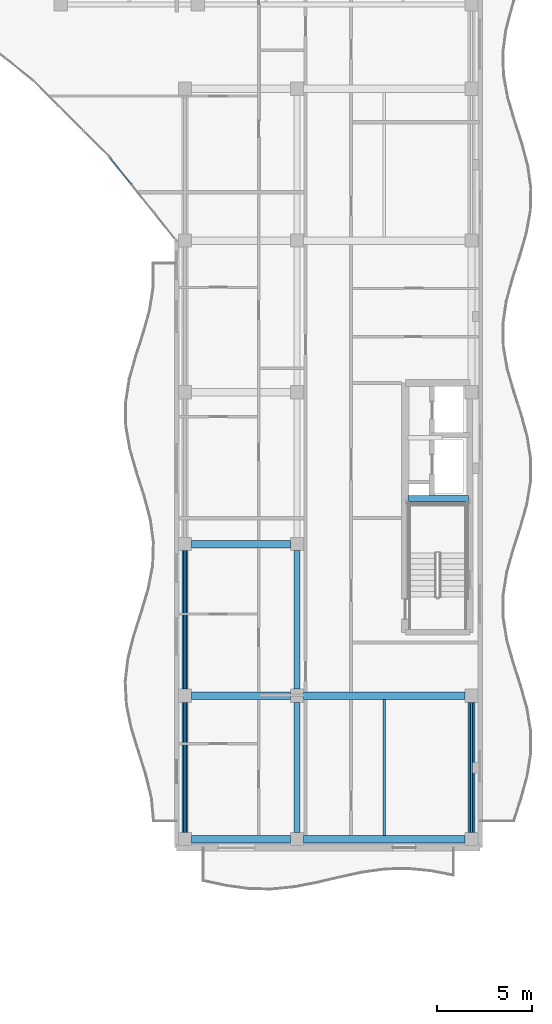
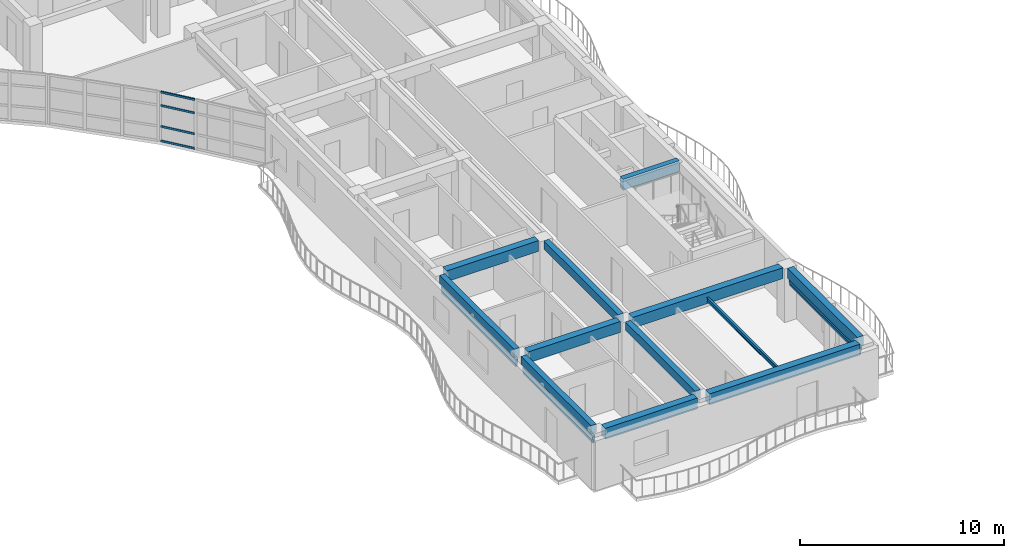
# One storey, part 31 of 89: 12 beams, 10 members, 1 element without a shape of its own.
"""IFC4 building model written with IfcOpenShell, lengths in metres."""

from ifc_helpers import new_model, si_unit, direction, frame, origin, origin_2d, place, context, subcontext, project, spatial, rectangle, hollow_rectangle, i_section, extrude, material, layer, layer_set, material_profile, profile_set, type_object, element, aggregate, save


model = new_model("IFC4")

# Units and contexts
model_context = context("Model", 3, precision=1e-05, world=origin(), true_north=direction((0.0, 1.0)))
body_context = subcontext(model_context, "Body", "Model", "MODEL_VIEW")
ifc_project = project(units=[si_unit("LENGTHUNIT", "METRE"), si_unit("AREAUNIT", "SQUARE_METRE"), si_unit("VOLUMEUNIT", "CUBIC_METRE"), si_unit("PLANEANGLEUNIT", "RADIAN"), si_unit("MASSUNIT", "GRAM", prefix="KILO")], contexts=[model_context])

# Site, building, storey
site_placement = place(None, origin())
site = spatial("IfcSite", under=ifc_project, at=site_placement, CompositionType="ELEMENT")
building_placement = place(site_placement, origin())
building = spatial("IfcBuilding", under=site, at=building_placement, Name="Keldmere Railside Commons", CompositionType="ELEMENT")
storey_placement = place(building_placement, frame((0.0, 0.0, 7.360107421875)))
storey = spatial("IfcBuildingStorey", under=building, at=storey_placement, Name="L02", CompositionType="ELEMENT", Elevation=7.360107421875)

# Members
ifc_material_1 = material(Name="Steel F-36 (S355)", Category="steel")
ifc_material_profile_1 = material_profile(ifc_material_1, hollow_rectangle(XDim=0.14990234375, YDim=0.25, WallThickness=0.010009765625, at=origin_2d()), Name="RHS-250x150x10")
ifc_profile_set_1 = profile_set([ifc_material_profile_1], Name="Steel F-36 (S355)")
member_type_1 = type_object("IfcMemberType", Name="Balcony Continuous Planted Trough RHS250x150", PredefinedType="CHORD", material=ifc_profile_set_1)
member_1_placement = place(storey_placement, frame((168.449951171875, 56.800048828125, 2.414794921875), z_axis=(0.0, 1.0, 0.0), x_axis=(-1.0, 0.0, 0.0)))
element("IfcMember", 1, at=member_1_placement, inside=storey, type_object=member_type_1, Name="PLT-1 MEM-BPLT-0309", PredefinedType="CHORD", context=body_context, shape_type="SweptSolid", body=[
    extrude(hollow_rectangle(XDim=0.14990234375, YDim=0.25, WallThickness=0.010009765625, at=origin_2d()), origin(), (0.0, 0.0, 1.0), 6.849853515625),
])
member_2_placement = place(storey_placement, frame((168.449951171875, 64.35009765625, 2.414794921875), z_axis=(0.0, 1.0, 0.0), x_axis=(-1.0, 0.0, 0.0)))
element("IfcMember", 2, at=member_2_placement, inside=storey, type_object=member_type_1, Name="PLT-1 MEM-BPLT-0311", PredefinedType="CHORD", context=body_context, shape_type="SweptSolid", body=[
    extrude(hollow_rectangle(XDim=0.14990234375, YDim=0.25, WallThickness=0.010009765625, at=origin_2d()), origin(), (0.0, 0.0, 1.0), 7.2998046875),
])
member_3_placement = place(storey_placement, frame((183.550048828125, 56.800048828125, 2.414794921875), z_axis=(0.0, 1.0, 0.0), x_axis=(-1.0, 0.0, 0.0)))
element("IfcMember", 3, at=member_3_placement, inside=storey, type_object=member_type_1, Name="PLT-1 MEM-BPLT-0319", PredefinedType="CHORD", context=body_context, shape_type="SweptSolid", body=[
    extrude(hollow_rectangle(XDim=0.14990234375, YDim=0.25, WallThickness=0.010009765625, at=origin_2d()), origin(), (0.0, 0.0, 1.0), 6.849853515625),
])

# Beams
ifc_material_2 = material(Name="Concrete H-35 (C35/45)", Category="concrete")
ifc_material_profile_2 = material_profile(ifc_material_2, rectangle(XDim=0.300048828125, YDim=0.64990234375, at=origin_2d()), Name="RC-300x650")
ifc_profile_set_2 = profile_set([ifc_material_profile_2], Name="Concrete H-35 (C35/45)")
beam_type_1 = type_object("IfcBeamType", Name="Core Coupling RC Beam 300x650", PredefinedType="BEAM", material=ifc_profile_set_2)
beam_1_placement = place(storey_placement, frame((180.18994140625, 74.39990234375, 2.875), z_axis=(1.0, 0.0, 0.0), x_axis=(0.0, 1.0, 0.0)))
element("IfcBeam", 4, at=beam_1_placement, inside=storey, type_object=beam_type_1, Name="CB-1 BM-L02-2567", PredefinedType="BEAM", context=body_context, shape_type="SweptSolid", body=[
    extrude(rectangle(XDim=0.300048828125, YDim=0.64990234375, at=origin_2d()), origin(), (0.0, 0.0, 1.0), 3.18994140625),
])
ifc_material_profile_3 = material_profile(ifc_material_1, i_section(OverallWidth=0.1201171875, OverallDepth=0.239990234375, WebThickness=0.006103515625, FlangeThickness=0.009765625, at=origin_2d()), Name="IPE-240")
ifc_profile_set_3 = profile_set([ifc_material_profile_3], Name="Steel F-36 (S355)")
beam_type_2 = type_object("IfcBeamType", Name="Nursery & Mezzanine Steel Joist IPE240", PredefinedType="JOIST", material=ifc_profile_set_3)
beam_2_placement = place(storey_placement, frame((178.949951171875, 56.64990234375, 2.809814453125), z_axis=(0.0, 1.0, 0.0), x_axis=(-1.0, 0.0, 0.0)))
element("IfcBeam", 5, at=beam_2_placement, inside=storey, type_object=beam_type_2, Name="JST-2 BM-L02-1283", PredefinedType="JOIST", context=body_context, shape_type="SweptSolid", body=[
    extrude(i_section(OverallWidth=0.1201171875, OverallDepth=0.239990234375, WebThickness=0.006103515625, FlangeThickness=0.009765625, at=origin_2d()), origin(), (0.0, 0.0, 1.0), 7.150146484375),
])
ifc_material_3 = material(Name="Concrete H-30 (C30/37)", Category="concrete")
ifc_material_profile_4 = material_profile(ifc_material_3, rectangle(XDim=0.35009765625, YDim=0.60009765625, at=origin_2d()), Name="RC-350x600")
ifc_profile_set_4 = profile_set([ifc_material_profile_4], Name="Concrete H-30 (C30/37)")
beam_type_3 = type_object("IfcBeamType", Name="Residential Chord RC Beam 350x600", PredefinedType="BEAM", material=ifc_profile_set_4)
beam_3_placement = place(storey_placement, frame((183.550048828125, 56.800048828125, 2.89990234375), z_axis=(0.0, 1.0, 0.0), x_axis=(-1.0, 0.0, 0.0)))
element("IfcBeam", 6, at=beam_3_placement, inside=storey, type_object=beam_type_3, Name="BG-4 BM-L02-1263", PredefinedType="BEAM", context=body_context, shape_type="SweptSolid", body=[
    extrude(rectangle(XDim=0.35009765625, YDim=0.60009765625, at=origin_2d()), origin(), (0.0, 0.0, 1.0), 6.849853515625),
])
ifc_material_profile_5 = material_profile(ifc_material_3, rectangle(XDim=0.39990234375, YDim=0.64990234375, at=origin_2d()), Name="RC-400x650")
ifc_profile_set_5 = profile_set([ifc_material_profile_5], Name="Concrete H-30 (C30/37)")
beam_type_4 = type_object("IfcBeamType", Name="Residential Spine RC Girder 400x650", PredefinedType="BEAM", material=ifc_profile_set_5)
beam_4_placement = place(storey_placement, frame((168.800048828125, 56.449951171875, 2.875), z_axis=(1.0, 0.0, 0.0), x_axis=(0.0, 1.0, 0.0)))
element("IfcBeam", 7, at=beam_4_placement, inside=storey, type_object=beam_type_4, Name="BG-3 BM-L02-1074", PredefinedType="BEAM", context=body_context, shape_type="SweptSolid", body=[
    extrude(rectangle(XDim=0.39990234375, YDim=0.64990234375, at=origin_2d()), origin(), (0.0, 0.0, 1.0), 5.199951171875),
])
beam_5_placement = place(storey_placement, frame((174.699951171875, 56.449951171875, 2.875), z_axis=(1.0, 0.0, 0.0), x_axis=(0.0, 1.0, 0.0)))
element("IfcBeam", 8, at=beam_5_placement, inside=storey, type_object=beam_type_4, Name="BG-3 BM-L02-1075", PredefinedType="BEAM", context=body_context, shape_type="SweptSolid", body=[
    extrude(rectangle(XDim=0.39990234375, YDim=0.64990234375, at=origin_2d()), origin(), (0.0, 0.0, 1.0), 8.5),
])
beam_6_placement = place(storey_placement, frame((168.800048828125, 64.0, 2.875), z_axis=(1.0, 0.0, 0.0), x_axis=(0.0, 1.0, 0.0)))
element("IfcBeam", 9, at=beam_6_placement, inside=storey, type_object=beam_type_4, Name="BG-3 BM-L02-1082", PredefinedType="BEAM", context=body_context, shape_type="SweptSolid", body=[
    extrude(rectangle(XDim=0.39990234375, YDim=0.64990234375, at=origin_2d()), origin(), (0.0, 0.0, 1.0), 5.199951171875),
])
beam_7_placement = place(storey_placement, frame((174.699951171875, 64.0, 2.875), z_axis=(1.0, 0.0, 0.0), x_axis=(0.0, 1.0, 0.0)))
element("IfcBeam", 10, at=beam_7_placement, inside=storey, type_object=beam_type_4, Name="BG-3 BM-L02-1083", PredefinedType="BEAM", context=body_context, shape_type="SweptSolid", body=[
    extrude(rectangle(XDim=0.39990234375, YDim=0.64990234375, at=origin_2d()), origin(), (0.0, 0.0, 1.0), 8.5),
])
beam_8_placement = place(storey_placement, frame((168.800048828125, 72.0, 2.875), z_axis=(1.0, 0.0, 0.0), x_axis=(0.0, 1.0, 0.0)))
element("IfcBeam", 11, at=beam_8_placement, inside=storey, type_object=beam_type_4, Name="BG-3 BM-L02-1087", PredefinedType="BEAM", context=body_context, shape_type="SweptSolid", body=[
    extrude(rectangle(XDim=0.39990234375, YDim=0.64990234375, at=origin_2d()), origin(), (0.0, 0.0, 1.0), 5.199951171875),
])
ifc_material_profile_6 = material_profile(ifc_material_3, rectangle(XDim=0.300048828125, YDim=0.5, at=origin_2d()), Name="RC-300x500")
ifc_profile_set_6 = profile_set([ifc_material_profile_6], Name="Concrete H-30 (C30/37)")
beam_type_5 = type_object("IfcBeamType", Name="Secondary Frame RC Beam 300x500", PredefinedType="BEAM", material=ifc_profile_set_6)
beam_9_placement = place(storey_placement, frame((168.449951171875, 56.800048828125, 2.949951171875), z_axis=(0.0, 1.0, 0.0), x_axis=(-1.0, 0.0, 0.0)))
element("IfcBeam", 12, at=beam_9_placement, inside=storey, type_object=beam_type_5, Name="BG-5 BM-L02-1247", PredefinedType="BEAM", context=body_context, shape_type="SweptSolid", body=[
    extrude(rectangle(XDim=0.300048828125, YDim=0.5, at=origin_2d()), origin(), (0.0, 0.0, 1.0), 6.849853515625),
])
beam_10_placement = place(storey_placement, frame((168.449951171875, 64.35009765625, 2.949951171875), z_axis=(0.0, 1.0, 0.0), x_axis=(-1.0, 0.0, 0.0)))
element("IfcBeam", 13, at=beam_10_placement, inside=storey, type_object=beam_type_5, Name="BG-5 BM-L02-1248", PredefinedType="BEAM", context=body_context, shape_type="SweptSolid", body=[
    extrude(rectangle(XDim=0.300048828125, YDim=0.5, at=origin_2d()), origin(), (0.0, 0.0, 1.0), 7.2998046875),
])
beam_11_placement = place(storey_placement, frame((174.35009765625, 56.800048828125, 2.949951171875), z_axis=(0.0, 1.0, 0.0), x_axis=(-1.0, 0.0, 0.0)))
element("IfcBeam", 14, at=beam_11_placement, inside=storey, type_object=beam_type_5, Name="BG-5 BM-L02-1254", PredefinedType="BEAM", context=body_context, shape_type="SweptSolid", body=[
    extrude(rectangle(XDim=0.300048828125, YDim=0.5, at=origin_2d()), origin(), (0.0, 0.0, 1.0), 6.849853515625),
])
beam_12_placement = place(storey_placement, frame((174.35009765625, 64.35009765625, 2.949951171875), z_axis=(0.0, 1.0, 0.0), x_axis=(-1.0, 0.0, 0.0)))
element("IfcBeam", 15, at=beam_12_placement, inside=storey, type_object=beam_type_5, Name="BG-5 BM-L02-1255", PredefinedType="BEAM", context=body_context, shape_type="SweptSolid", body=[
    extrude(rectangle(XDim=0.300048828125, YDim=0.5, at=origin_2d()), origin(), (0.0, 0.0, 1.0), 7.2998046875),
])

# Members
ifc_material_profile_7 = material_profile(ifc_material_1, hollow_rectangle(XDim=0.10009765625, YDim=0.159912109375, WallThickness=0.008056640625, at=origin_2d()), Name="RHS-160x100x8")
ifc_profile_set_7 = profile_set([ifc_material_profile_7], Name="Steel F-36 (S355)")
member_type_2 = type_object("IfcMemberType", Name="Solar Brise-Soleil Louvre Fin RHS160x100", PredefinedType="STRUT", material=ifc_profile_set_7)
member_4_placement = place(storey_placement, frame((168.449951171875, 56.800048828125, 2.199951171875), z_axis=(0.0, 1.0, 0.0), x_axis=(-1.0, 0.0, 0.0)))
element("IfcMember", 16, at=member_4_placement, inside=storey, type_object=member_type_2, Name="BSF-1 MEM-BSF-0310", PredefinedType="STRUT", context=body_context, shape_type="SweptSolid", body=[
    extrude(hollow_rectangle(XDim=0.10009765625, YDim=0.159912109375, WallThickness=0.008056640625, at=origin_2d()), origin(), (0.0, 0.0, 1.0), 6.849853515625),
])
member_5_placement = place(storey_placement, frame((168.449951171875, 64.35009765625, 2.199951171875), z_axis=(0.0, 1.0, 0.0), x_axis=(-1.0, 0.0, 0.0)))
element("IfcMember", 17, at=member_5_placement, inside=storey, type_object=member_type_2, Name="BSF-1 MEM-BSF-0312", PredefinedType="STRUT", context=body_context, shape_type="SweptSolid", body=[
    extrude(hollow_rectangle(XDim=0.10009765625, YDim=0.159912109375, WallThickness=0.008056640625, at=origin_2d()), origin(), (0.0, 0.0, 1.0), 7.2998046875),
])
member_6_placement = place(storey_placement, frame((183.550048828125, 56.800048828125, 2.199951171875), z_axis=(0.0, 1.0, 0.0), x_axis=(-1.0, 0.0, 0.0)))
element("IfcMember", 18, at=member_6_placement, inside=storey, type_object=member_type_2, Name="BSF-1 MEM-BSF-0320", PredefinedType="STRUT", context=body_context, shape_type="SweptSolid", body=[
    extrude(hollow_rectangle(XDim=0.10009765625, YDim=0.159912109375, WallThickness=0.008056640625, at=origin_2d()), origin(), (0.0, 0.0, 1.0), 6.849853515625),
])

# Curtain wall, members
ifc_material_4 = material(Name="Thermally Broken Aluminium", Category="aluminium")
ifc_layer = layer(ifc_material_4, 0.159912109375, Name="Court Chord Wintergarden CW 5400x2850")
ifc_layer_set = layer_set([ifc_layer], Name="Thermally Broken Aluminium")
curtain_wall_type = type_object("IfcCurtainWallType", Name="Court Chord Wintergarden CW 5400x2850", PredefinedType="NOTDEFINED", material=ifc_layer_set)
curtain_wall_placement = place(storey_placement, origin())
curtain_wall = element("IfcCurtainWall", 19, at=curtain_wall_placement, inside=storey, type_object=curtain_wall_type, Name="CW-13 CW-L02-165", PredefinedType="NOTDEFINED")
ifc_material_profile_8 = material_profile(ifc_material_4, hollow_rectangle(XDim=0.06494140625, YDim=0.1201171875, WallThickness=0.00390625, at=origin_2d()), Name="ALU-TRAN-65x120")
ifc_profile_set_8 = profile_set([ifc_material_profile_8], Name="Thermally Broken Aluminium")
member_type_3 = type_object("IfcMemberType", Name="Unitised Curtain Wall Transom 65x120", PredefinedType="USERDEFINED", material=ifc_profile_set_8)
member_7_placement = place(storey_placement, frame((165.6103515625, 90.978759765625, 0.032470703125), z_axis=(-0.625805275091, 0.779979331565, 0.0), x_axis=(-0.779979331565, -0.625805275091, 0.0)))
member_7 = element("IfcMember", 20, at=member_7_placement, type_object=member_type_3, Name="CW-13 transom 3.1", ObjectType="TRANSOM", PredefinedType="USERDEFINED", context=body_context, shape_type="SweptSolid", body=[
    extrude(hollow_rectangle(XDim=0.06494140625, YDim=0.1201171875, WallThickness=0.00390625, at=origin_2d()), origin(), (0.0, 0.0, 1.0), 1.795654296875),
])
member_8_placement = place(storey_placement, frame((165.6103515625, 90.978759765625, 0.89990234375), z_axis=(-0.625805275091, 0.779979331565, 0.0), x_axis=(-0.779979331565, -0.625805275091, 0.0)))
member_8 = element("IfcMember", 21, at=member_8_placement, type_object=member_type_3, Name="CW-13 transom 3.2", ObjectType="TRANSOM", PredefinedType="USERDEFINED", context=body_context, shape_type="SweptSolid", body=[
    extrude(hollow_rectangle(XDim=0.06494140625, YDim=0.1201171875, WallThickness=0.00390625, at=origin_2d()), origin(), (0.0, 0.0, 1.0), 1.795654296875),
])
member_9_placement = place(storey_placement, frame((165.6103515625, 90.978759765625, 2.14990234375), z_axis=(-0.625805275091, 0.779979331565, 0.0), x_axis=(-0.779979331565, -0.625805275091, 0.0)))
member_9 = element("IfcMember", 22, at=member_9_placement, type_object=member_type_3, Name="CW-13 transom 3.3", ObjectType="TRANSOM", PredefinedType="USERDEFINED", context=body_context, shape_type="SweptSolid", body=[
    extrude(hollow_rectangle(XDim=0.06494140625, YDim=0.1201171875, WallThickness=0.00390625, at=origin_2d()), origin(), (0.0, 0.0, 1.0), 1.795654296875),
])
member_10_placement = place(storey_placement, frame((165.6103515625, 90.978759765625, 2.947509765625), z_axis=(-0.625805275091, 0.779979331565, 0.0), x_axis=(-0.779979331565, -0.625805275091, 0.0)))
member_10 = element("IfcMember", 23, at=member_10_placement, type_object=member_type_3, Name="CW-13 transom 3.4", ObjectType="TRANSOM", PredefinedType="USERDEFINED", context=body_context, shape_type="SweptSolid", body=[
    extrude(hollow_rectangle(XDim=0.06494140625, YDim=0.1201171875, WallThickness=0.00390625, at=origin_2d()), origin(), (0.0, 0.0, 1.0), 1.795654296875),
])
aggregate(curtain_wall, [member_7, member_8, member_9, member_10])

save(model, "model.ifc")
